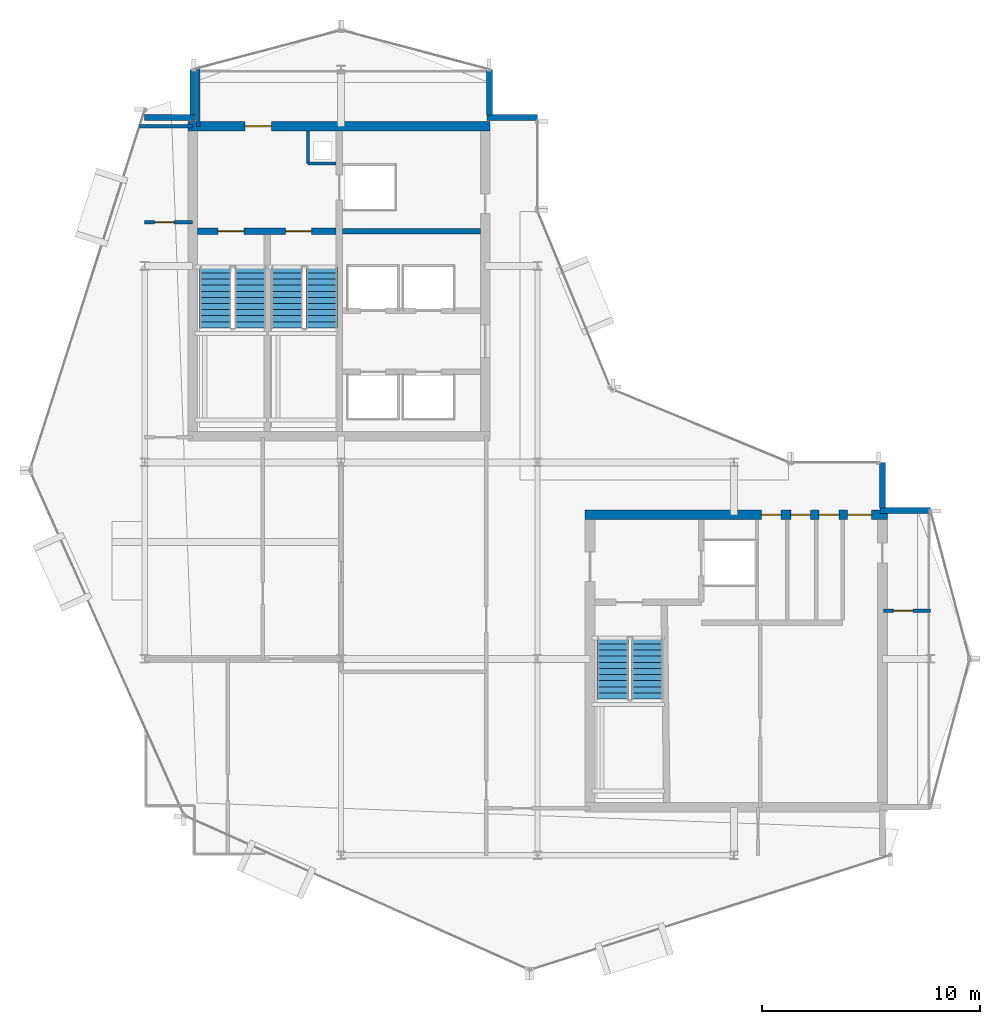
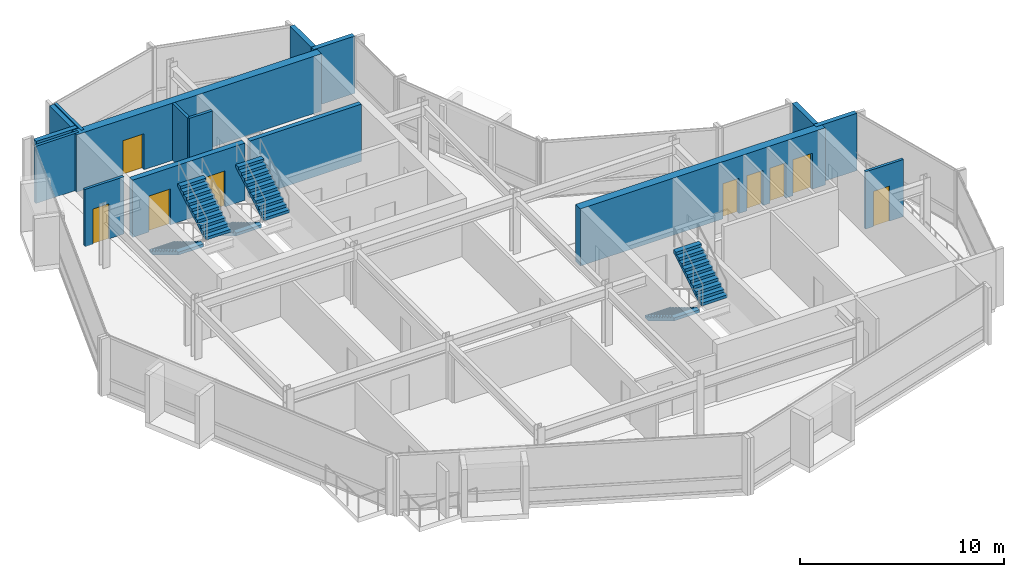
# One storey, part 15 of 19: 16 walls, 9 doors, 6 stair flights, 9 openings, 3 elements without a shape of their own.
"""IFC4 building model written with IfcOpenShell, lengths in metres."""

import ifcopenshell
import ifcopenshell.guid

model = None  # the IFC model being written
_history = None  # IfcOwnerHistory: only IFC2X3 demands one
_inside = {}  # id of a spatial element -> (the spatial element, [elements in it])
_under = {}  # id of a project, library or spatial element -> (it, [spatial elements below it])
_declared = {}  # id of a project -> (the project, [libraries it declares])
_typed = {}  # id of a type object -> (the type object, [elements of that type])
_made_of = {}  # id of a material, layer set ... -> (it, [elements and type objects made of it])


def new_model(schema):
    """Start an empty IFC model of exactly this schema.

    Asked for "IFC4X3", IfcOpenShell would pick the latest addendum, in which some entities
    have other attributes; the version numbers below select the first issue.
    IFC2X3 requires an IfcOwnerHistory on every rooted entity: one is made here for all.
    """
    global model, _history
    if schema == "IFC4X3":
        model = ifcopenshell.file(schema_version=(4, 3, 0, 0))
    else:
        model = ifcopenshell.file(schema=schema)
    _inside.clear()
    _under.clear()
    _declared.clear()
    _typed.clear()
    _made_of.clear()
    _history = None
    if model.schema == "IFC2X3":
        org = make("IfcOrganization", Name="unknown")
        user = make(
            "IfcPersonAndOrganization",
            ThePerson=make("IfcPerson", FamilyName="unknown"),
            TheOrganization=org,
        )
        app = make(
            "IfcApplication",
            ApplicationDeveloper=org,
            Version="unknown",
            ApplicationFullName="unknown",
            ApplicationIdentifier="unknown",
        )
        _history = make(
            "IfcOwnerHistory",
            OwningUser=user,
            OwningApplication=app,
            ChangeAction="ADDED",
            CreationDate=0,
        )
    return model


def make(cls, **values):
    """One entity of the class cls with the attributes given. An attribute that is None is left unset."""
    return model.create_entity(
        cls, **{name: value for name, value in values.items() if value is not None}
    )


def rooted(cls, **values):
    """An entity with a GlobalId (a new one), such as an element, a storey or a relation."""
    return make(cls, GlobalId=ifcopenshell.guid.new(), OwnerHistory=_history, **values)


def si_unit(unit_type, name, prefix=None):
    """IfcSIUnit, for example si_unit("LENGTHUNIT", "METRE", prefix="MILLI")."""
    return make("IfcSIUnit", UnitType=unit_type, Prefix=prefix, Name=name)


def assignment(units):
    """IfcUnitAssignment: the units of a project."""
    return None if units is None else make("IfcUnitAssignment", Units=units)


def point(xyz):
    """IfcCartesianPoint."""
    return None if xyz is None else make("IfcCartesianPoint", Coordinates=xyz)


def direction(xyz):
    """IfcDirection."""
    return None if xyz is None else make("IfcDirection", DirectionRatios=xyz)


def frame(location, z_axis=None, x_axis=None):
    """IfcAxis2Placement3D, a coordinate frame: its origin and axes. An axis left out is left unset."""
    return make(
        "IfcAxis2Placement3D",
        Location=point(location),
        Axis=direction(z_axis),
        RefDirection=direction(x_axis),
    )


def frame_2d(location, x_axis=None):
    """IfcAxis2Placement2D, a coordinate frame in the plane: its origin and x axis."""
    return make(
        "IfcAxis2Placement2D", Location=point(location), RefDirection=direction(x_axis)
    )


def origin():
    """The frame at (0, 0, 0) with its axes left unset."""
    return frame((0.0, 0.0, 0.0))


def place(relative_to, where):
    """IfcLocalPlacement: puts the frame where relative to a parent placement (None: the world)."""
    return make(
        "IfcLocalPlacement", PlacementRelTo=relative_to, RelativePlacement=where
    )


def context(
    kind, dimensions, precision=None, world=None, true_north=None, identifier=None
):
    """IfcGeometricRepresentationContext, for example the 3D "Model" context."""
    return make(
        "IfcGeometricRepresentationContext",
        ContextIdentifier=identifier,
        ContextType=kind,
        CoordinateSpaceDimension=dimensions,
        Precision=precision,
        WorldCoordinateSystem=world,
        TrueNorth=true_north,
    )


def subcontext(parent, identifier, kind, view, scale=None):
    """IfcGeometricRepresentationSubContext, for example "Body" below "Model"."""
    return make(
        "IfcGeometricRepresentationSubContext",
        ContextIdentifier=identifier,
        ContextType=kind,
        ParentContext=parent,
        TargetScale=scale,
        TargetView=view,
    )


def project(units=None, contexts=None):
    """IfcProject with its units and contexts."""
    return rooted(
        "IfcProject",
        Name="project",
        RepresentationContexts=contexts,
        UnitsInContext=assignment(units),
    )


def spatial(cls, under=None, at=None, **own):
    """A site, building, storey or space (cls), placed at a placement, below another one or the project."""
    s = rooted(cls, ObjectPlacement=at, **own)
    if under is not None:
        _under.setdefault(under.id(), (under, []))[1].append(s)
    return s


def polyline(points):
    """IfcPolyline through the points."""
    return make("IfcPolyline", Points=[point(p) for p in points])


def profile(cls, at=None, kind="AREA", **sizes):
    """A parametric profile (cls). Its sizes go by their IFC names, for example OverallWidth=200.0."""
    return make(cls, ProfileType=kind, Position=at, **sizes)


def rectangle(**sizes):
    """IfcRectangleProfileDef."""
    return profile("IfcRectangleProfileDef", **sizes)


def outline(outer, holes=None, kind="AREA"):
    """IfcArbitraryClosedProfileDef: a profile drawn as a closed curve; with holes, ...WithVoids."""
    if holes is None:
        return make("IfcArbitraryClosedProfileDef", ProfileType=kind, OuterCurve=outer)
    return make(
        "IfcArbitraryProfileDefWithVoids",
        ProfileType=kind,
        OuterCurve=outer,
        InnerCurves=holes,
    )


def extrude(swept, where, along, depth):
    """IfcExtrudedAreaSolid: the profile swept, set in the frame where, extruded along a direction by depth."""
    return make(
        "IfcExtrudedAreaSolid",
        SweptArea=swept,
        Position=where,
        ExtrudedDirection=direction(along),
        Depth=depth,
    )


def shape(context_of_items, identifier, shape_type, items):
    """IfcShapeRepresentation: the items that make up one representation, for example the "Body"."""
    return make(
        "IfcShapeRepresentation",
        ContextOfItems=context_of_items,
        RepresentationIdentifier=identifier,
        RepresentationType=shape_type,
        Items=items,
    )


def material(Name=None, Category=None):
    """IfcMaterial."""
    return make("IfcMaterial", Name=Name, Category=Category)


def layer(
    of_material, thickness, ventilated=None, Name=None, Category=None, Priority=None
):
    """IfcMaterialLayer: one layer of a wall or slab, of a material (None: an air gap)."""
    return make(
        "IfcMaterialLayer",
        Material=of_material,
        LayerThickness=thickness,
        IsVentilated=ventilated,
        Name=Name,
        Category=Category,
        Priority=Priority,
    )


def layer_set(layers, Name=None):
    """IfcMaterialLayerSet."""
    return make("IfcMaterialLayerSet", MaterialLayers=layers, LayerSetName=Name)


def made_of(thing, what):
    """Note that an element or type object is made of a material, layer set ...; save() writes the relation."""
    if what is not None:
        _made_of.setdefault(what.id(), (what, []))[1].append(thing)
    return thing


def type_object(cls, material=None, **own):
    """A type object (cls), such as IfcWallType, which elements share."""
    return made_of(rooted(cls, **own), material)


def element(
    cls,
    number,
    at=None,
    inside=None,
    cuts=None,
    type_object=None,
    material=None,
    context=None,
    identifier="Body",
    shape_type=None,
    held_by="IfcProductDefinitionShape",
    body=None,
    shapes=None,
    **own,
):
    """One element of the class cls, such as IfcWall. Its Tag is "e" and its number.

    at: its placement. inside: the storey or other place that contains it. cuts: it is an
    opening in that element (IfcRelVoidsElement). A single representation is given by context,
    identifier, shape_type and body (its items); several are given by shapes. held_by: the class
    of the entity that holds the representations. save() writes the other relations.
    """
    e = rooted(cls, Tag="e%d" % number, ObjectPlacement=at, **own)
    if body is not None:
        shapes = [shape(context, identifier, shape_type, body)]
    if shapes is not None:
        e.Representation = make(held_by, Representations=shapes)
    if inside is not None:
        _inside.setdefault(inside.id(), (inside, []))[1].append(e)
    if cuts is not None:
        rooted(
            "IfcRelVoidsElement", RelatingBuildingElement=cuts, RelatedOpeningElement=e
        )
    if type_object is not None:
        _typed.setdefault(type_object.id(), (type_object, []))[1].append(e)
    return made_of(e, material)


def fill(opening, filler):
    """IfcRelFillsElement: the door or window that sits in an opening."""
    return rooted(
        "IfcRelFillsElement",
        RelatingOpeningElement=opening,
        RelatedBuildingElement=filler,
    )


def aggregate(whole, parts):
    """IfcRelAggregates: a whole, such as a stair, and the parts it consists of."""
    return rooted("IfcRelAggregates", RelatingObject=whole, RelatedObjects=parts)


def save(model, path):
    """Write the relations noted so far, then the file.

    IfcRelAggregates (storeys below a building ...), IfcRelContainedInSpatialStructure (elements
    in a storey), IfcRelDefinesByType, IfcRelAssociatesMaterial and IfcRelDeclares: one each for
    every whole, place, type object, material and project.
    """
    for whole, parts in _under.values():
        aggregate(whole, parts)
    for where, things in _inside.values():
        rooted(
            "IfcRelContainedInSpatialStructure",
            RelatedElements=things,
            RelatingStructure=where,
        )
    for kind, things in _typed.values():
        rooted("IfcRelDefinesByType", RelatedObjects=things, RelatingType=kind)
    for what, things in _made_of.values():
        rooted("IfcRelAssociatesMaterial", RelatedObjects=things, RelatingMaterial=what)
    for by, libraries in _declared.values():
        rooted("IfcRelDeclares", RelatingContext=by, RelatedDefinitions=libraries)
    model.write(path)


model = new_model("IFC4")

# Units and contexts
model_context = context("Model", 3, precision=1e-05, world=origin(), true_north=direction((0.0, 1.0)))
body_context = subcontext(model_context, "Body", "Model", "MODEL_VIEW")
ifc_project = project(units=[si_unit("LENGTHUNIT", "METRE"), si_unit("AREAUNIT", "SQUARE_METRE"), si_unit("VOLUMEUNIT", "CUBIC_METRE"), si_unit("PLANEANGLEUNIT", "RADIAN"), si_unit("MASSUNIT", "GRAM", prefix="KILO")], contexts=[model_context])

# Site, building, storey
site_placement = place(None, origin())
site = spatial("IfcSite", under=ifc_project, at=site_placement, CompositionType="ELEMENT")
building_placement = place(site_placement, origin())
building = spatial("IfcBuilding", under=site, at=building_placement, Name="Solvaryn Broadcast Tower", CompositionType="ELEMENT")
storey_placement = place(building_placement, frame((0.0, 0.0, 270.39990234375)))
storey = spatial("IfcBuildingStorey", under=building, at=storey_placement, Name="L68", CompositionType="ELEMENT", Elevation=270.39990234375)

# Wall, opening, door
ifc_material_1 = material(Name="Concrete f'c 70 MPa", Category="concrete")
ifc_layer_1 = layer(ifc_material_1, 0.449951171875)
ifc_layer_set_1 = layer_set([ifc_layer_1], Name="CW-SHEAR-450")
wall_type_1 = type_object("IfcWallType", Name="CW-SHEAR-450", PredefinedType="SHEAR", material=ifc_layer_set_1)
wall_1_placement = place(storey_placement, frame((24.824951171875, 42.39990234375, 0.0), z_axis=(0.0, 0.0, 1.0), x_axis=(-1.0, 0.0, 0.0)))
wall_1 = element("IfcWall", 1, at=wall_1_placement, inside=storey, type_object=wall_type_1, Name="L68 West Core North Shear Wall", PredefinedType="SHEAR", context=body_context, shape_type="SweptSolid", body=[
    extrude(rectangle(XDim=13.849853515625, YDim=0.449951171875, at=frame_2d((6.9248046875, 0.0))), origin(), (0.0, 0.0, 1.0), 3.420166015625),
])
opening_1_placement = place(wall_1_placement, frame((10.02490234375, 0.0, 0.0)))
opening_1 = element("IfcOpeningElement", 2, at=opening_1_placement, cuts=wall_1, Name="Opening FD90A", PredefinedType="OPENING", context=body_context, shape_type="SweptSolid", body=[
    extrude(rectangle(XDim=1.199951171875, YDim=2.14990234375, at=frame_2d((0.60009765625, 1.074951171875))), frame((0.0, 0.235107421875, 0.0), z_axis=(0.0, -1.0, 0.0), x_axis=(1.0, 0.0, 0.0)), (0.0, 0.0, 1.0), 0.469970703125),
])
ifc_material_2 = material(Name="Flush Acoustic Steel and Timber Door Assembly", Category="steel")
door_type_1 = type_object("IfcDoorType", Name="FD90-STAIR-1200X2150", OperationType="NOTDEFINED", PredefinedType="DOOR", material=ifc_material_2)
door_1_placement = place(opening_1_placement, origin())
door_1 = element("IfcDoor", 3, at=door_1_placement, inside=storey, type_object=door_type_1, Name="L68 West FSAE Lobby Corridor Door", OperationType="SINGLE_SWING_LEFT", OverallHeight=2.14990234375, OverallWidth=1.199951171875, PredefinedType="DOOR", context=body_context, shape_type="SweptSolid", body=[
    extrude(rectangle(XDim=1.199951171875, YDim=2.14990234375, at=frame_2d((0.60009765625, 1.074951171875))), frame((0.0, 0.02490234375, 0.0), z_axis=(0.0, -1.0, 0.0), x_axis=(1.0, 0.0, 0.0)), (0.0, 0.0, 1.0), 0.050048828125),
])
fill(opening_1, door_1)

# Wall, openings, doors
wall_2_placement = place(storey_placement, frame((43.02490234375, 24.60009765625, 0.0), z_axis=(0.0, 0.0, 1.0), x_axis=(-1.0, 0.0, 0.0)))
wall_2 = element("IfcWall", 4, at=wall_2_placement, inside=storey, type_object=wall_type_1, Name="L68 East Core North Shear Wall", PredefinedType="SHEAR", context=body_context, shape_type="SweptSolid", body=[
    extrude(rectangle(XDim=13.849853515625, YDim=0.449951171875, at=frame_2d((6.9248046875, 0.0))), origin(), (0.0, 0.0, 1.0), 3.420166015625),
])
opening_2_placement = place(wall_2_placement, frame((0.72509765625, 0.0, 0.0)))
opening_2 = element("IfcOpeningElement", 5, at=opening_2_placement, cuts=wall_2, Name="Opening FD90C", PredefinedType="OPENING", context=body_context, shape_type="SweptSolid", body=[
    extrude(rectangle(XDim=1.10009765625, YDim=2.14990234375, at=frame_2d((0.550048828125, 1.074951171875))), frame((0.0, 0.235107421875, 0.0), z_axis=(0.0, -1.0, 0.0), x_axis=(1.0, 0.0, 0.0)), (0.0, 0.0, 1.0), 0.469970703125),
])
opening_3_placement = place(wall_2_placement, frame((2.22509765625, 0.0, 0.0)))
opening_3 = element("IfcOpeningElement", 6, at=opening_3_placement, cuts=wall_2, Name="Opening FD60C", PredefinedType="OPENING", context=body_context, shape_type="SweptSolid", body=[
    extrude(rectangle(XDim=0.89990234375, YDim=2.10009765625, at=frame_2d((0.449951171875, 1.050048828125))), frame((0.0, 0.235107421875, 0.0), z_axis=(0.0, -1.0, 0.0), x_axis=(1.0, 0.0, 0.0)), (0.0, 0.0, 1.0), 0.469970703125),
])
opening_4_placement = place(wall_2_placement, frame((3.52490234375, 0.0, 0.0)))
opening_4 = element("IfcOpeningElement", 7, at=opening_4_placement, cuts=wall_2, Name="Opening FD60C", PredefinedType="OPENING", context=body_context, shape_type="SweptSolid", body=[
    extrude(rectangle(XDim=0.89990234375, YDim=2.10009765625, at=frame_2d((0.449951171875, 1.050048828125))), frame((0.0, 0.235107421875, 0.0), z_axis=(0.0, -1.0, 0.0), x_axis=(1.0, 0.0, 0.0)), (0.0, 0.0, 1.0), 0.469970703125),
])
opening_5_placement = place(wall_2_placement, frame((4.875, 0.0, 0.0)))
opening_5 = element("IfcOpeningElement", 8, at=opening_5_placement, cuts=wall_2, Name="Opening FD60C", PredefinedType="OPENING", context=body_context, shape_type="SweptSolid", body=[
    extrude(rectangle(XDim=0.89990234375, YDim=2.10009765625, at=frame_2d((0.449951171875, 1.050048828125))), frame((0.0, 0.235107421875, 0.0), z_axis=(0.0, -1.0, 0.0), x_axis=(1.0, 0.0, 0.0)), (0.0, 0.0, 1.0), 0.469970703125),
])
ifc_material_3 = material(Name="Flush Acoustic Steel and Timber Door Assembly", Category="steel")
door_type_2 = type_object("IfcDoorType", Name="FD60-SERV-900X2100", OperationType="NOTDEFINED", PredefinedType="DOOR", material=ifc_material_3)
door_2_placement = place(opening_3_placement, origin())
door_2 = element("IfcDoor", 9, at=door_2_placement, inside=storey, type_object=door_type_2, Name="L68 Core Wellness Room Door", OperationType="SINGLE_SWING_RIGHT", OverallHeight=2.10009765625, OverallWidth=0.89990234375, PredefinedType="DOOR", context=body_context, shape_type="SweptSolid", body=[
    extrude(rectangle(XDim=0.89990234375, YDim=2.10009765625, at=frame_2d((0.449951171875, 1.050048828125))), frame((0.0, 0.02490234375, 0.0), z_axis=(0.0, -1.0, 0.0), x_axis=(1.0, 0.0, 0.0)), (0.0, 0.0, 1.0), 0.050048828125),
])
fill(opening_3, door_2)
door_3_placement = place(opening_4_placement, origin())
door_3 = element("IfcDoor", 10, at=door_3_placement, inside=storey, type_object=door_type_2, Name="L68 Staff Restroom Door", OperationType="SINGLE_SWING_LEFT", OverallHeight=2.10009765625, OverallWidth=0.89990234375, PredefinedType="DOOR", context=body_context, shape_type="SweptSolid", body=[
    extrude(rectangle(XDim=0.89990234375, YDim=2.10009765625, at=frame_2d((0.449951171875, 1.050048828125))), frame((0.0, 0.02490234375, 0.0), z_axis=(0.0, -1.0, 0.0), x_axis=(1.0, 0.0, 0.0)), (0.0, 0.0, 1.0), 0.050048828125),
])
fill(opening_4, door_3)
door_4_placement = place(opening_5_placement, origin())
door_4 = element("IfcDoor", 11, at=door_4_placement, inside=storey, type_object=door_type_2, Name="L68 Accessible WC Door", OperationType="SINGLE_SWING_RIGHT", OverallHeight=2.10009765625, OverallWidth=0.89990234375, PredefinedType="DOOR", context=body_context, shape_type="SweptSolid", body=[
    extrude(rectangle(XDim=0.89990234375, YDim=2.10009765625, at=frame_2d((0.449951171875, 1.050048828125))), frame((0.0, 0.02490234375, 0.0), z_axis=(0.0, -1.0, 0.0), x_axis=(1.0, 0.0, 0.0)), (0.0, 0.0, 1.0), 0.050048828125),
])
fill(opening_5, door_4)
ifc_material_4 = material(Name="Flush Acoustic Steel and Timber Door Assembly", Category="steel")
door_type_3 = type_object("IfcDoorType", Name="FD90-PLANT-1100X2150", OperationType="NOTDEFINED", PredefinedType="DOOR", material=ifc_material_4)
door_5_placement = place(opening_2_placement, origin())
door_5 = element("IfcDoor", 12, at=door_5_placement, inside=storey, type_object=door_type_3, Name="L68 East Core Lobby Corridor Door", OperationType="SINGLE_SWING_LEFT", OverallHeight=2.14990234375, OverallWidth=1.10009765625, PredefinedType="DOOR", context=body_context, shape_type="SweptSolid", body=[
    extrude(rectangle(XDim=1.10009765625, YDim=2.14990234375, at=frame_2d((0.550048828125, 1.074951171875))), frame((0.0, 0.02490234375, 0.0), z_axis=(0.0, -1.0, 0.0), x_axis=(1.0, 0.0, 0.0)), (0.0, 0.0, 1.0), 0.050048828125),
])
fill(opening_2, door_5)

# Walls
ifc_material_5 = material(Name="Concrete f'c 50 MPa", Category="concrete")
ifc_layer_2 = layer(ifc_material_5, 0.260009765625)
ifc_layer_set_2 = layer_set([ifc_layer_2], Name="EW-PIER-260")
wall_type_2 = type_object("IfcWallType", Name="EW-PIER-260", PredefinedType="SOLIDWALL", material=ifc_layer_set_2)
wall_3_placement = place(storey_placement, frame((9.0, 42.800048828125, 0.0), z_axis=(0.0, 0.0, 1.0), x_axis=(1.0, 0.0, 0.0)))
element("IfcWall", 13, at=wall_3_placement, inside=storey, type_object=wall_type_2, Name="L68 Notched Corner Pier Wall NNW1", PredefinedType="SOLIDWALL", context=body_context, shape_type="SweptSolid", body=[
    extrude(rectangle(XDim=2.320068359375, YDim=0.260009765625, at=frame_2d((1.16015625, 0.0))), origin(), (0.0, 0.0, 1.0), 3.420166015625),
])
for number, where, z_axis, x_axis, name in (
    (14, (11.199951171875, 42.919921875, 0.0), (0.0, 0.0, 1.0), (0.0, 1.0, 0.0), "L68 Notched Corner Pier Wall NNW2"),
    (15, (24.800048828125, 45.0, 0.0), (0.0, 0.0, 1.0), (0.0, -1.0, 0.0), "L68 Notched Corner Pier Wall NNE1"),
):
    element("IfcWall", number, at=place(storey_placement, frame(where, z_axis=z_axis, x_axis=x_axis)), inside=storey, type_object=wall_type_2, Name=name, PredefinedType="SOLIDWALL", context=body_context, shape_type="SweptSolid", body=[
        extrude(rectangle(XDim=2.080078125, YDim=0.260009765625, at=frame_2d((1.0400390625, 0.0))), origin(), (0.0, 0.0, 1.0), 3.420166015625),
    ])
for number, where, z_axis, x_axis, name in (
    (16, (24.679931640625, 42.800048828125, 0.0), (0.0, 0.0, 1.0), (1.0, 0.0, 0.0), "L68 Notched Corner Pier Wall NNE2"),
    (17, (45.0, 24.800048828125, 0.0), (0.0, 0.0, 1.0), (-1.0, 0.0, 0.0), "L68 Notched Corner Pier Wall NEE1"),
):
    element("IfcWall", number, at=place(storey_placement, frame(where, z_axis=z_axis, x_axis=x_axis)), inside=storey, type_object=wall_type_2, Name=name, PredefinedType="SOLIDWALL", context=body_context, shape_type="SweptSolid", body=[
        extrude(rectangle(XDim=2.320068359375, YDim=0.260009765625, at=frame_2d((1.16015625, 0.0))), origin(), (0.0, 0.0, 1.0), 3.420166015625),
    ])
wall_4_placement = place(storey_placement, frame((42.800048828125, 24.919921875, 0.0), z_axis=(0.0, 0.0, 1.0), x_axis=(0.0, 1.0, 0.0)))
element("IfcWall", 18, at=wall_4_placement, inside=storey, type_object=wall_type_2, Name="L68 Notched Corner Pier Wall NEE2", PredefinedType="SOLIDWALL", context=body_context, shape_type="SweptSolid", body=[
    extrude(rectangle(XDim=2.080078125, YDim=0.260009765625, at=frame_2d((1.0400390625, 0.0))), origin(), (0.0, 0.0, 1.0), 3.420166015625),
])
ifc_material_6 = material(Name="Metal-Stud Service Core Partition")
ifc_layer_3 = layer(ifc_material_6, 0.14990234375)
ifc_layer_set_3 = layer_set([ifc_layer_3], Name="IW-PART-150")
wall_type_3 = type_object("IfcWallType", Name="IW-PART-150", PredefinedType="PARTITIONING", material=ifc_layer_set_3)
wall_5_placement = place(storey_placement, frame((16.47998046875, 40.699951171875, 0.0), z_axis=(0.0, 0.0, 1.0), x_axis=(1.0, 0.0, 0.0)))
element("IfcWall", 19, at=wall_5_placement, inside=storey, type_object=wall_type_3, Name="L68 West Core Riser Shaft South Wall", PredefinedType="PARTITIONING", context=body_context, shape_type="SweptSolid", body=[
    extrude(rectangle(XDim=1.2900390625, YDim=0.14990234375, at=frame_2d((0.64501953125, 0.0))), origin(), (0.0, 0.0, 1.0), 3.420166015625),
])
wall_6_placement = place(storey_placement, frame((16.47998046875, 40.699951171875, 0.0), z_axis=(0.0, 0.0, 1.0), x_axis=(0.0, 1.0, 0.0)))
element("IfcWall", 20, at=wall_6_placement, inside=storey, type_object=wall_type_3, Name="L68 West Core Riser Shaft West Wall", PredefinedType="PARTITIONING", context=body_context, shape_type="SweptSolid", body=[
    extrude(rectangle(XDim=1.47509765625, YDim=0.14990234375, at=frame_2d((0.737548828125, 0.0))), origin(), (0.0, 0.0, 1.0), 3.420166015625),
])

# Wall, opening, door
wall_7_placement = place(storey_placement, frame((9.0, 38.0, 0.0), z_axis=(0.0, 0.0, 1.0), x_axis=(1.0, 0.0, 0.0)))
wall_7 = element("IfcWall", 21, at=wall_7_placement, inside=storey, type_object=wall_type_3, Name="L68 Interior Partition IW-L68-WM-M", PredefinedType="PARTITIONING", context=body_context, shape_type="SweptSolid", body=[
    extrude(rectangle(XDim=2.199951171875, YDim=0.14990234375, at=frame_2d((1.10009765625, 0.0))), origin(), (0.0, 0.0, 1.0), 3.420166015625),
])
opening_6_placement = place(wall_7_placement, frame((0.449951171875, 0.0, 0.0)))
opening_6 = element("IfcOpeningElement", 22, at=opening_6_placement, cuts=wall_7, Name="Opening FD60C", PredefinedType="OPENING", context=body_context, shape_type="SweptSolid", body=[
    extrude(rectangle(XDim=0.89990234375, YDim=2.10009765625, at=frame_2d((0.449951171875, 1.050048828125))), frame((0.0, 0.0849609375, 0.0), z_axis=(0.0, -1.0, 0.0), x_axis=(1.0, 0.0, 0.0)), (0.0, 0.0, 1.0), 0.169921875),
])
door_6_placement = place(opening_6_placement, origin())
door_6 = element("IfcDoor", 23, at=door_6_placement, inside=storey, type_object=door_type_2, Name="L68 Door DR-L68-WM1", OperationType="SINGLE_SWING_LEFT", OverallHeight=2.10009765625, OverallWidth=0.89990234375, PredefinedType="DOOR", context=body_context, shape_type="SweptSolid", body=[
    extrude(rectangle(XDim=0.89990234375, YDim=2.10009765625, at=frame_2d((0.449951171875, 1.050048828125))), frame((0.0, 0.02490234375, 0.0), z_axis=(0.0, -1.0, 0.0), x_axis=(1.0, 0.0, 0.0)), (0.0, 0.0, 1.0), 0.050048828125),
])
fill(opening_6, door_6)

wall_8_placement = place(storey_placement, frame((42.85009765625, 20.199951171875, 0.0), z_axis=(0.0, 0.0, 1.0), x_axis=(1.0, 0.0, 0.0)))
wall_8 = element("IfcWall", 24, at=wall_8_placement, inside=storey, type_object=wall_type_3, Name="L68 Interior Partition IW-L68-E4M", PredefinedType="PARTITIONING", context=body_context, shape_type="SweptSolid", body=[
    extrude(rectangle(XDim=2.14990234375, YDim=0.14990234375, at=frame_2d((1.074951171875, 0.0))), origin(), (0.0, 0.0, 1.0), 3.420166015625),
])
opening_7_placement = place(wall_8_placement, frame((0.449951171875, 0.0, 0.0)))
opening_7 = element("IfcOpeningElement", 25, at=opening_7_placement, cuts=wall_8, Name="Opening FD60C", PredefinedType="OPENING", context=body_context, shape_type="SweptSolid", body=[
    extrude(rectangle(XDim=0.89990234375, YDim=2.10009765625, at=frame_2d((0.449951171875, 1.050048828125))), frame((0.0, 0.0849609375, 0.0), z_axis=(0.0, -1.0, 0.0), x_axis=(1.0, 0.0, 0.0)), (0.0, 0.0, 1.0), 0.169921875),
])
door_7_placement = place(opening_7_placement, origin())
door_7 = element("IfcDoor", 26, at=door_7_placement, inside=storey, type_object=door_type_2, Name="L68 Door DR-L68-E4M", OperationType="SINGLE_SWING_RIGHT", OverallHeight=2.10009765625, OverallWidth=0.89990234375, PredefinedType="DOOR", context=body_context, shape_type="SweptSolid", body=[
    extrude(rectangle(XDim=0.89990234375, YDim=2.10009765625, at=frame_2d((0.449951171875, 1.050048828125))), frame((0.0, 0.02490234375, 0.0), z_axis=(0.0, -1.0, 0.0), x_axis=(1.0, 0.0, 0.0)), (0.0, 0.0, 1.0), 0.050048828125),
])
fill(opening_7, door_7)

# Walls
ifc_material_7 = material(Name="Metal-Stud Gypsum Office Partition")
ifc_layer_4 = layer(ifc_material_7, 0.159912109375)
ifc_layer_set_4 = layer_set([ifc_layer_4], Name="IW-PART-160")
wall_type_4 = type_object("IfcWallType", Name="IW-PART-160", PredefinedType="PARTITIONING", material=ifc_layer_set_4)
wall_9_placement = place(storey_placement, frame((8.760986328125, 42.39990234375, 0.0), z_axis=(0.0, 0.0, 1.0), x_axis=(1.0, 0.0, 0.0)))
element("IfcWall", 27, at=wall_9_placement, inside=storey, type_object=wall_type_4, Name="L68 Interior Partition IW-L68-WM-N", PredefinedType="PARTITIONING", context=body_context, shape_type="SweptSolid", body=[
    extrude(rectangle(XDim=2.43896484375, YDim=0.159912109375, at=frame_2d((1.219482421875, 0.0))), origin(), (0.0, 0.0, 1.0), 3.420166015625),
])
wall_10_placement = place(storey_placement, frame((11.449951171875, 42.39990234375, 0.0), z_axis=(0.0, 0.0, 1.0), x_axis=(0.0, 1.0, 0.0)))
element("IfcWall", 28, at=wall_10_placement, inside=storey, type_object=wall_type_4, Name="L68 Interior Partition IW-L68-WM-E", PredefinedType="PARTITIONING", context=body_context, shape_type="SweptSolid", body=[
    extrude(rectangle(XDim=2.666015625, YDim=0.159912109375, at=frame_2d((1.3330078125, 0.0))), origin(), (0.0, 0.0, 1.0), 3.420166015625),
])
ifc_material_8 = material(Name="Concrete f'c 60 MPa", Category="concrete")
ifc_layer_5 = layer(ifc_material_8, 0.25)
ifc_layer_set_5 = layer_set([ifc_layer_5], Name="SW-SHAFT-250")
wall_type_5 = type_object("IfcWallType", Name="SW-SHAFT-250", PredefinedType="PARTITIONING", material=ifc_layer_set_5)
wall_11_placement = place(storey_placement, frame((18.070068359375, 37.60009765625, 0.0), z_axis=(0.0, 0.0, 1.0), x_axis=(1.0, 0.0, 0.0)))
element("IfcWall", 29, at=wall_11_placement, inside=storey, type_object=wall_type_5, Name="L68 West Core FSAE Hoistway Front Wall", PredefinedType="PARTITIONING", context=body_context, shape_type="SweptSolid", body=[
    extrude(rectangle(XDim=6.304931640625, YDim=0.25, at=frame_2d((3.15234375, 0.0))), origin(), (0.0, 0.0, 1.0), 3.420166015625),
])

# Wall, openings, doors
ifc_material_9 = material(Name="Concrete f'c 70 MPa", Category="concrete")
ifc_layer_6 = layer(ifc_material_9, 0.300048828125)
ifc_layer_set_6 = layer_set([ifc_layer_6], Name="SW-SHAFT-300")
wall_type_6 = type_object("IfcWallType", Name="SW-SHAFT-300", PredefinedType="SHEAR", material=ifc_layer_set_6)
wall_12_placement = place(storey_placement, frame((17.77001953125, 37.60009765625, 0.0), z_axis=(0.0, 0.0, 1.0), x_axis=(-1.0, 0.0, 0.0)))
wall_12 = element("IfcWall", 30, at=wall_12_placement, inside=storey, type_object=wall_type_6, Name="L68 West Core FSAE Lobby South Wall", PredefinedType="SHEAR", context=body_context, shape_type="SweptSolid", body=[
    extrude(rectangle(XDim=6.344970703125, YDim=0.300048828125, at=frame_2d((3.17236328125, 0.0))), origin(), (0.0, 0.0, 1.0), 3.420166015625),
])
opening_8_placement = place(wall_12_placement, frame((4.219970703125, 0.0, 0.0)))
opening_8 = element("IfcOpeningElement", 31, at=opening_8_placement, cuts=wall_12, Name="Opening FD90A", PredefinedType="OPENING", context=body_context, shape_type="SweptSolid", body=[
    extrude(rectangle(XDim=1.199951171875, YDim=2.14990234375, at=frame_2d((0.60009765625, 1.074951171875))), frame((0.0, 0.159912109375, 0.0), z_axis=(0.0, -1.0, 0.0), x_axis=(1.0, 0.0, 0.0)), (0.0, 0.0, 1.0), 0.320068359375),
])
opening_9_placement = place(wall_12_placement, frame((1.1201171875, 0.0, 0.0)))
opening_9 = element("IfcOpeningElement", 32, at=opening_9_placement, cuts=wall_12, Name="Opening FD90A", PredefinedType="OPENING", context=body_context, shape_type="SweptSolid", body=[
    extrude(rectangle(XDim=1.199951171875, YDim=2.14990234375, at=frame_2d((0.60009765625, 1.074951171875))), frame((0.0, 0.159912109375, 0.0), z_axis=(0.0, -1.0, 0.0), x_axis=(1.0, 0.0, 0.0)), (0.0, 0.0, 1.0), 0.320068359375),
])
door_8_placement = place(opening_8_placement, origin())
door_8 = element("IfcDoor", 33, at=door_8_placement, inside=storey, type_object=door_type_1, Name="L68 Stair 1 Fire Door", OperationType="SINGLE_SWING_LEFT", OverallHeight=2.14990234375, OverallWidth=1.199951171875, PredefinedType="DOOR", context=body_context, shape_type="SweptSolid", body=[
    extrude(rectangle(XDim=1.199951171875, YDim=2.14990234375, at=frame_2d((0.60009765625, 1.074951171875))), frame((0.0, 0.02490234375, 0.0), z_axis=(0.0, -1.0, 0.0), x_axis=(1.0, 0.0, 0.0)), (0.0, 0.0, 1.0), 0.050048828125),
])
fill(opening_8, door_8)
door_9_placement = place(opening_9_placement, origin())
door_9 = element("IfcDoor", 34, at=door_9_placement, inside=storey, type_object=door_type_1, Name="L68 Stair 2 Fire Door", OperationType="SINGLE_SWING_RIGHT", OverallHeight=2.14990234375, OverallWidth=1.199951171875, PredefinedType="DOOR", context=body_context, shape_type="SweptSolid", body=[
    extrude(rectangle(XDim=1.199951171875, YDim=2.14990234375, at=frame_2d((0.60009765625, 1.074951171875))), frame((0.0, 0.02490234375, 0.0), z_axis=(0.0, -1.0, 0.0), x_axis=(1.0, 0.0, 0.0)), (0.0, 0.0, 1.0), 0.050048828125),
])
fill(opening_9, door_9)

# Stair, stair flights
ifc_material_10 = material(Name="Concrete f'c 60 MPa", Category="concrete")
stair_type = type_object("IfcStairType", Name="ST-CORE", PredefinedType="HALF_TURN_STAIR", material=ifc_material_10)
stair_1_placement = place(storey_placement, origin())
stair_1 = element("IfcStair", 35, at=stair_1_placement, inside=storey, type_object=stair_type, Name="L68 ST1", PredefinedType="HALF_TURN_STAIR")
ifc_material_11 = material(Name="Concrete f'c 60 MPa", Category="concrete")
ifc_layer_7 = layer(ifc_material_11, 0.159912109375)
ifc_layer_set_7 = layer_set([ifc_layer_7], Name="SF-CORE")
stair_flight_type = type_object("IfcStairFlightType", Name="SF-CORE", PredefinedType="STRAIGHT", material=ifc_layer_set_7)
stair_flight_1_placement = place(storey_placement, frame((12.239990234375, 35.9599609375, 0.0), z_axis=(0.0, 0.0, 1.0), x_axis=(0.0, -1.0, 0.0)))
stair_flight_1 = element("IfcStairFlight", 36, at=stair_flight_1_placement, type_object=stair_flight_type, Name="ST1 flight 1", NumberOfRisers=11, NumberOfTreads=10, PredefinedType="STRAIGHT", RiserHeight=0.168181818, TreadLength=0.28, context=body_context, shape_type="SweptSolid", body=[
    extrude(outline(polyline([(0.0, 0.0), (0.0, 0.168212890625), (0.280029296875, 0.168212890625), (0.280029296875, 0.33642578125), (0.56005859375, 0.33642578125), (0.56005859375, 0.504638671875), (0.840087890625, 0.504638671875), (0.840087890625, 0.672607421875), (1.1201171875, 0.672607421875), (1.1201171875, 0.8408203125), (1.39990234375, 0.8408203125), (1.39990234375, 1.009033203125), (1.679931640625, 1.009033203125), (1.679931640625, 1.17724609375), (1.9599609375, 1.17724609375), (1.9599609375, 1.345458984375), (2.239990234375, 1.345458984375), (2.239990234375, 1.513671875), (2.52001953125, 1.513671875), (2.52001953125, 1.681884765625), (2.800048828125, 1.681884765625), (2.800048828125, 1.85009765625), (2.800048828125, 1.5068359375), (0.291015625, 0.0), (0.0, 0.0)])), frame((0.0, 0.719970703125, 0.0), z_axis=(0.0, -1.0, 0.0), x_axis=(1.0, 0.0, 0.0)), (0.0, 0.0, 1.0), 1.43994140625),
])
stair_flight_2_placement = place(storey_placement, frame((13.830078125, 33.159912109375, 1.85009765625), z_axis=(0.0, 0.0, 1.0), x_axis=(0.0, 1.0, 0.0)))
stair_flight_2 = element("IfcStairFlight", 37, at=stair_flight_2_placement, type_object=stair_flight_type, Name="ST1 flight 2", NumberOfRisers=11, NumberOfTreads=10, PredefinedType="STRAIGHT", RiserHeight=0.168181818, TreadLength=0.28, context=body_context, shape_type="SweptSolid", body=[
    extrude(outline(polyline([(0.0, 0.0), (0.0, 0.168212890625), (0.280029296875, 0.168212890625), (0.280029296875, 0.33642578125), (0.56005859375, 0.33642578125), (0.56005859375, 0.504638671875), (0.840087890625, 0.504638671875), (0.840087890625, 0.672607421875), (1.1201171875, 0.672607421875), (1.1201171875, 0.8408203125), (1.39990234375, 0.8408203125), (1.39990234375, 1.009033203125), (1.679931640625, 1.009033203125), (1.679931640625, 1.17724609375), (1.9599609375, 1.17724609375), (1.9599609375, 1.345458984375), (2.239990234375, 1.345458984375), (2.239990234375, 1.513671875), (2.52001953125, 1.513671875), (2.52001953125, 1.681884765625), (2.800048828125, 1.681884765625), (2.800048828125, 1.85009765625), (2.800048828125, 1.5068359375), (0.291015625, 0.0), (0.0, 0.0)])), frame((0.0, 0.719970703125, 0.0), z_axis=(0.0, -1.0, 0.0), x_axis=(1.0, 0.0, 0.0)), (0.0, 0.0, 1.0), 1.43994140625),
])
aggregate(stair_1, [stair_flight_1, stair_flight_2])

stair_2_placement = place(storey_placement, origin())
stair_2 = element("IfcStair", 38, at=stair_2_placement, inside=storey, type_object=stair_type, Name="L68 ST2", PredefinedType="HALF_TURN_STAIR")
stair_flight_3_placement = place(storey_placement, frame((15.52001953125, 35.9599609375, 0.0), z_axis=(0.0, 0.0, 1.0), x_axis=(0.0, -1.0, 0.0)))
stair_flight_3 = element("IfcStairFlight", 39, at=stair_flight_3_placement, type_object=stair_flight_type, Name="ST2 flight 1", NumberOfRisers=11, NumberOfTreads=10, PredefinedType="STRAIGHT", RiserHeight=0.168181818, TreadLength=0.28, context=body_context, shape_type="SweptSolid", body=[
    extrude(outline(polyline([(0.0, 0.0), (0.0, 0.168212890625), (0.280029296875, 0.168212890625), (0.280029296875, 0.33642578125), (0.56005859375, 0.33642578125), (0.56005859375, 0.504638671875), (0.840087890625, 0.504638671875), (0.840087890625, 0.672607421875), (1.1201171875, 0.672607421875), (1.1201171875, 0.8408203125), (1.39990234375, 0.8408203125), (1.39990234375, 1.009033203125), (1.679931640625, 1.009033203125), (1.679931640625, 1.17724609375), (1.9599609375, 1.17724609375), (1.9599609375, 1.345458984375), (2.239990234375, 1.345458984375), (2.239990234375, 1.513671875), (2.52001953125, 1.513671875), (2.52001953125, 1.681884765625), (2.800048828125, 1.681884765625), (2.800048828125, 1.85009765625), (2.800048828125, 1.5068359375), (0.291015625, 0.0), (0.0, 0.0)])), frame((0.0, 0.719970703125, 0.0), z_axis=(0.0, -1.0, 0.0), x_axis=(1.0, 0.0, 0.0)), (0.0, 0.0, 1.0), 1.43994140625),
])
stair_flight_4_placement = place(storey_placement, frame((17.110107421875, 33.159912109375, 1.85009765625), z_axis=(0.0, 0.0, 1.0), x_axis=(0.0, 1.0, 0.0)))
stair_flight_4 = element("IfcStairFlight", 40, at=stair_flight_4_placement, type_object=stair_flight_type, Name="ST2 flight 2", NumberOfRisers=11, NumberOfTreads=10, PredefinedType="STRAIGHT", RiserHeight=0.168181818, TreadLength=0.28, context=body_context, shape_type="SweptSolid", body=[
    extrude(outline(polyline([(0.0, 0.0), (0.0, 0.168212890625), (0.280029296875, 0.168212890625), (0.280029296875, 0.33642578125), (0.56005859375, 0.33642578125), (0.56005859375, 0.504638671875), (0.840087890625, 0.504638671875), (0.840087890625, 0.672607421875), (1.1201171875, 0.672607421875), (1.1201171875, 0.8408203125), (1.39990234375, 0.8408203125), (1.39990234375, 1.009033203125), (1.679931640625, 1.009033203125), (1.679931640625, 1.17724609375), (1.9599609375, 1.17724609375), (1.9599609375, 1.345458984375), (2.239990234375, 1.345458984375), (2.239990234375, 1.513671875), (2.52001953125, 1.513671875), (2.52001953125, 1.681884765625), (2.800048828125, 1.681884765625), (2.800048828125, 1.85009765625), (2.800048828125, 1.5068359375), (0.291015625, 0.0), (0.0, 0.0)])), frame((0.0, 0.719970703125, 0.0), z_axis=(0.0, -1.0, 0.0), x_axis=(1.0, 0.0, 0.0)), (0.0, 0.0, 1.0), 1.43994140625),
])
aggregate(stair_2, [stair_flight_3, stair_flight_4])

stair_3_placement = place(storey_placement, origin())
stair_3 = element("IfcStair", 41, at=stair_3_placement, inside=storey, type_object=stair_type, Name="L68 ST3", PredefinedType="HALF_TURN_STAIR")
stair_flight_5_placement = place(storey_placement, frame((30.43994140625, 18.9599609375, 0.0), z_axis=(0.0, 0.0, 1.0), x_axis=(0.0, -1.0, 0.0)))
stair_flight_5 = element("IfcStairFlight", 42, at=stair_flight_5_placement, type_object=stair_flight_type, Name="ST3 flight 1", NumberOfRisers=11, NumberOfTreads=10, PredefinedType="STRAIGHT", RiserHeight=0.168181818, TreadLength=0.28, context=body_context, shape_type="SweptSolid", body=[
    extrude(outline(polyline([(0.0, 0.0), (0.0, 0.168212890625), (0.280029296875, 0.168212890625), (0.280029296875, 0.33642578125), (0.56005859375, 0.33642578125), (0.56005859375, 0.504638671875), (0.840087890625, 0.504638671875), (0.840087890625, 0.672607421875), (1.1201171875, 0.672607421875), (1.1201171875, 0.8408203125), (1.39990234375, 0.8408203125), (1.39990234375, 1.009033203125), (1.679931640625, 1.009033203125), (1.679931640625, 1.17724609375), (1.9599609375, 1.17724609375), (1.9599609375, 1.345458984375), (2.239990234375, 1.345458984375), (2.239990234375, 1.513671875), (2.52001953125, 1.513671875), (2.52001953125, 1.681884765625), (2.800048828125, 1.681884765625), (2.800048828125, 1.85009765625), (2.800048828125, 1.5068359375), (0.291015625, 0.0), (0.0, 0.0)])), frame((0.0, 0.719970703125, 0.0), z_axis=(0.0, -1.0, 0.0), x_axis=(1.0, 0.0, 0.0)), (0.0, 0.0, 1.0), 1.43994140625),
])
stair_flight_6_placement = place(storey_placement, frame((32.030029296875, 16.159912109375, 1.85009765625), z_axis=(0.0, 0.0, 1.0), x_axis=(0.0, 1.0, 0.0)))
stair_flight_6 = element("IfcStairFlight", 43, at=stair_flight_6_placement, type_object=stair_flight_type, Name="ST3 flight 2", NumberOfRisers=11, NumberOfTreads=10, PredefinedType="STRAIGHT", RiserHeight=0.168181818, TreadLength=0.28, context=body_context, shape_type="SweptSolid", body=[
    extrude(outline(polyline([(0.0, 0.0), (0.0, 0.168212890625), (0.280029296875, 0.168212890625), (0.280029296875, 0.33642578125), (0.56005859375, 0.33642578125), (0.56005859375, 0.504638671875), (0.840087890625, 0.504638671875), (0.840087890625, 0.672607421875), (1.1201171875, 0.672607421875), (1.1201171875, 0.8408203125), (1.39990234375, 0.8408203125), (1.39990234375, 1.009033203125), (1.679931640625, 1.009033203125), (1.679931640625, 1.17724609375), (1.9599609375, 1.17724609375), (1.9599609375, 1.345458984375), (2.239990234375, 1.345458984375), (2.239990234375, 1.513671875), (2.52001953125, 1.513671875), (2.52001953125, 1.681884765625), (2.800048828125, 1.681884765625), (2.800048828125, 1.85009765625), (2.800048828125, 1.5068359375), (0.291015625, 0.0), (0.0, 0.0)])), frame((0.0, 0.719970703125, 0.0), z_axis=(0.0, -1.0, 0.0), x_axis=(1.0, 0.0, 0.0)), (0.0, 0.0, 1.0), 1.43994140625),
])
aggregate(stair_3, [stair_flight_5, stair_flight_6])

save(model, "model.ifc")
